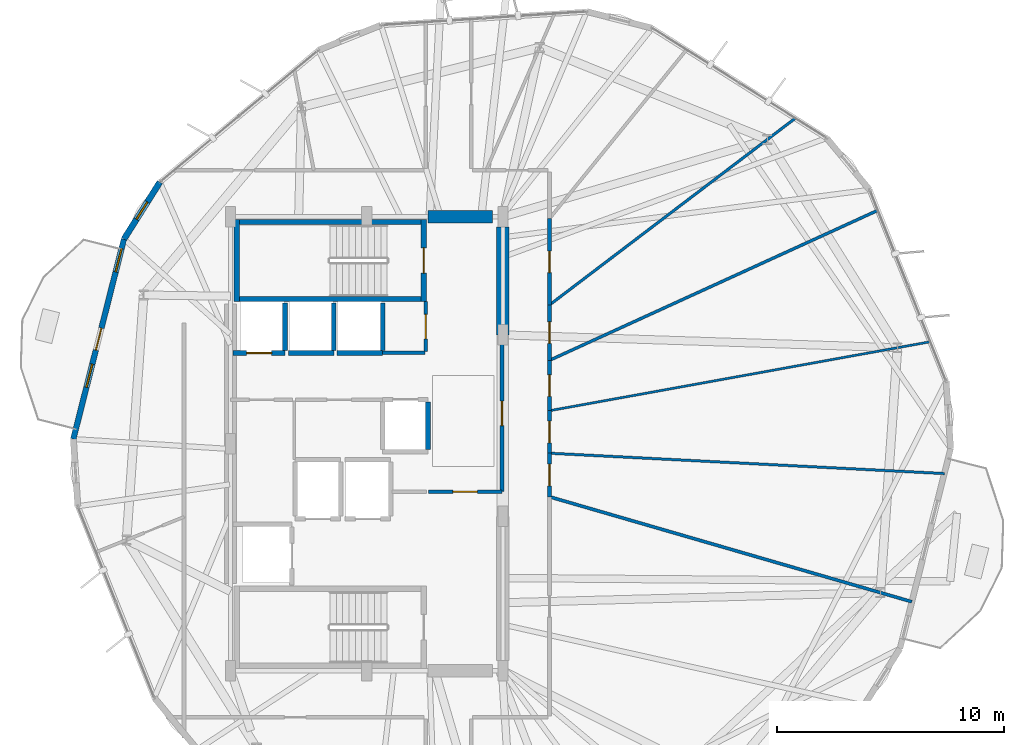
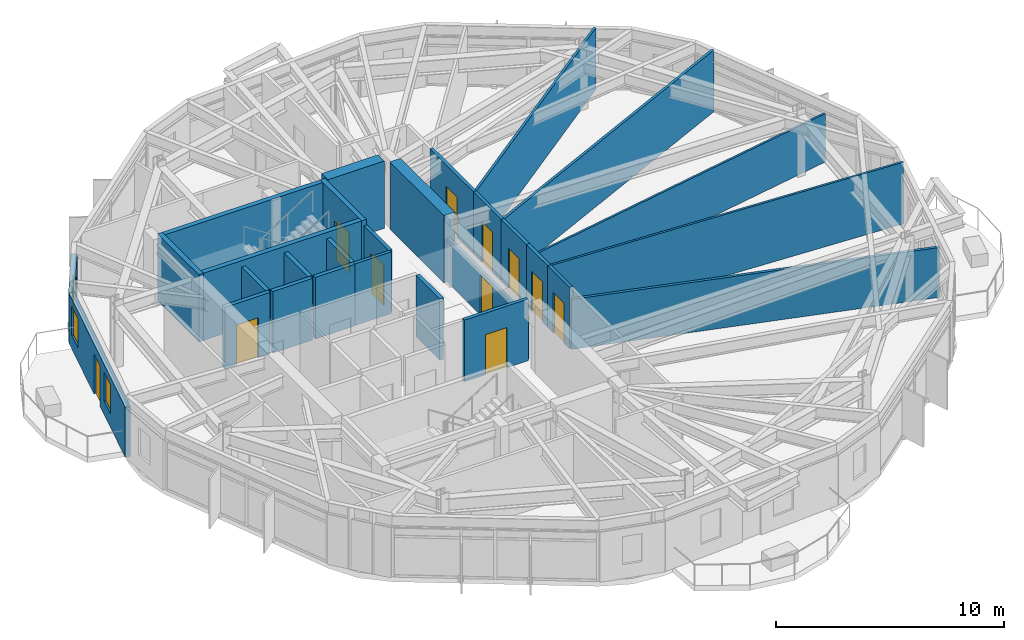
# One storey, part 20 of 24: 29 walls, 11 doors, 3 windows, 14 openings.
"""IFC4 building model written with IfcOpenShell, lengths in metres."""

from ifc_helpers import new_model, si_unit, direction, frame, frame_2d, origin, place, context, subcontext, project, spatial, rectangle, extrude, material, layer, layer_set, type_object, element, fill, save


model = new_model("IFC4")

# Units and contexts
model_context = context("Model", 3, precision=1e-05, world=origin(), true_north=direction((0.0, 1.0)))
body_context = subcontext(model_context, "Body", "Model", "MODEL_VIEW")
ifc_project = project(units=[si_unit("LENGTHUNIT", "METRE"), si_unit("AREAUNIT", "SQUARE_METRE"), si_unit("VOLUMEUNIT", "CUBIC_METRE"), si_unit("PLANEANGLEUNIT", "RADIAN"), si_unit("MASSUNIT", "GRAM", prefix="KILO")], contexts=[model_context])

# Site, building, storey
site_placement = place(None, origin())
site = spatial("IfcSite", under=ifc_project, at=site_placement, CompositionType="ELEMENT")
building_placement = place(site_placement, origin())
building = spatial("IfcBuilding", under=site, at=building_placement, Name="Soratama Intermodal Tower", CompositionType="ELEMENT")
storey_placement = place(building_placement, frame((0.0, 0.0, 178.60009765625)))
storey = spatial("IfcBuildingStorey", under=building, at=storey_placement, Name="L44", CompositionType="ELEMENT", Elevation=178.60009765625)

# Wall, openings, door, windows
ifc_material_1 = material(Name="Concrete f'c 42 MPa", Category="concrete")
ifc_layer_1 = layer(ifc_material_1, 0.25)
ifc_layer_set_1 = layer_set([ifc_layer_1], Name="Concrete f'c 42 MPa")
wall_type_1 = type_object("IfcWallType", Name="EW-BAL-250", PredefinedType="SOLIDWALL", material=ifc_layer_set_1)
wall_1_placement = place(storey_placement, frame((27.908203125, 34.018310546875, 0.0), z_axis=(0.0, 0.0, 1.0), x_axis=(-0.245644624453, -0.969359952999, 0.0)))
wall_1 = element("IfcWall", 1, at=wall_1_placement, inside=storey, type_object=wall_type_1, Name="L44 Terrace Wall F04", PredefinedType="SOLIDWALL", context=body_context, shape_type="SweptSolid", body=[
    extrude(rectangle(XDim=9.0869140625, YDim=0.25, at=frame_2d((4.54345703125, 0.0))), origin(), (0.0, 0.0, 1.0), 2.678955078125),
])
opening_1_placement = place(wall_1_placement, frame((4.04345703125, 0.0, 0.0)))
opening_1 = element("IfcOpeningElement", 2, at=opening_1_placement, cuts=wall_1, Name="Opening ED-2", PredefinedType="OPENING", context=body_context, shape_type="SweptSolid", body=[
    extrude(rectangle(XDim=1.0, YDim=2.14990234375, at=frame_2d((0.5, 1.074951171875))), frame((0.0, 0.135009765625, 0.0), z_axis=(0.0, -1.0, 0.0), x_axis=(1.0, 0.0, 0.0)), (0.0, 0.0, 1.0), 0.27001953125),
])
opening_2_placement = place(wall_1_placement, frame((0.43994140625, 0.0, 0.719970703125)))
opening_2 = element("IfcOpeningElement", 3, at=opening_2_placement, cuts=wall_1, Name="Opening WN-5", PredefinedType="OPENING", context=body_context, shape_type="SweptSolid", body=[
    extrude(rectangle(XDim=1.050048828125, YDim=1.550048828125, at=frame_2d((0.52490234375, 0.77490234375))), frame((0.0, 0.135009765625, 0.0), z_axis=(0.0, -1.0, 0.0), x_axis=(1.0, 0.0, 0.0)), (0.0, 0.0, 1.0), 0.27001953125),
])
opening_3_placement = place(wall_1_placement, frame((5.68359375, 0.0, 0.719970703125)))
opening_3 = element("IfcOpeningElement", 4, at=opening_3_placement, cuts=wall_1, Name="Opening WN-5", PredefinedType="OPENING", context=body_context, shape_type="SweptSolid", body=[
    extrude(rectangle(XDim=1.050048828125, YDim=1.550048828125, at=frame_2d((0.52490234375, 0.77490234375))), frame((0.0, 0.135009765625, 0.0), z_axis=(0.0, -1.0, 0.0), x_axis=(1.0, 0.0, 0.0)), (0.0, 0.0, 1.0), 0.27001953125),
])
ifc_material_2 = material(Name="Double-glazed aluminium door", Category="aluminium")
door_type_1 = type_object("IfcDoorType", Name="DR-BAL-1000", OperationType="NOTDEFINED", PredefinedType="DOOR", material=ifc_material_2)
door_1_placement = place(opening_1_placement, origin())
door_1 = element("IfcDoor", 5, at=door_1_placement, inside=storey, type_object=door_type_1, Name="L44 Balcony Door F04", OperationType="SINGLE_SWING_RIGHT", OverallHeight=2.14990234375, OverallWidth=1.0, PredefinedType="DOOR", context=body_context, shape_type="SweptSolid", body=[
    extrude(rectangle(XDim=1.0, YDim=2.14990234375, at=frame_2d((0.5, 1.074951171875))), frame((0.0, 0.02490234375, 0.0), z_axis=(0.0, -1.0, 0.0), x_axis=(1.0, 0.0, 0.0)), (0.0, 0.0, 1.0), 0.050048828125),
])
fill(opening_1, door_1)
ifc_material_3 = material(Name="Double-glazed aluminium window", Category="aluminium")
window_type_1 = type_object("IfcWindowType", Name="WN-FAC-1050", PartitioningType="SINGLE_PANEL", PredefinedType="WINDOW", material=ifc_material_3)
window_1_placement = place(opening_2_placement, origin())
window_1 = element("IfcWindow", 6, at=window_1_placement, inside=storey, type_object=window_type_1, Name="L44 Window A F04", OverallHeight=1.550048828125, OverallWidth=1.050048828125, PartitioningType="SINGLE_PANEL", PredefinedType="WINDOW", context=body_context, shape_type="SweptSolid", body=[
    extrude(rectangle(XDim=1.050048828125, YDim=1.550048828125, at=frame_2d((0.52490234375, 0.77490234375))), frame((0.0, 0.030029296875, 0.0), z_axis=(0.0, -1.0, 0.0), x_axis=(1.0, 0.0, 0.0)), (0.0, 0.0, 1.0), 0.06005859375),
])
fill(opening_2, window_1)
window_2_placement = place(opening_3_placement, origin())
window_2 = element("IfcWindow", 7, at=window_2_placement, inside=storey, type_object=window_type_1, Name="L44 Window B F04", OverallHeight=1.550048828125, OverallWidth=1.050048828125, PartitioningType="SINGLE_PANEL", PredefinedType="WINDOW", context=body_context, shape_type="SweptSolid", body=[
    extrude(rectangle(XDim=1.050048828125, YDim=1.550048828125, at=frame_2d((0.52490234375, 0.77490234375))), frame((0.0, 0.030029296875, 0.0), z_axis=(0.0, -1.0, 0.0), x_axis=(1.0, 0.0, 0.0)), (0.0, 0.0, 1.0), 0.06005859375),
])
fill(opening_3, window_2)

# Wall, opening, window
ifc_material_4 = material(Name="Concrete f'c 42 MPa", Category="concrete")
ifc_layer_2 = layer(ifc_material_4, 0.27001953125)
ifc_layer_set_2 = layer_set([ifc_layer_2], Name="Concrete f'c 42 MPa")
wall_type_2 = type_object("IfcWallType", Name="EW-CRN-270", PredefinedType="SOLIDWALL", material=ifc_layer_set_2)
wall_2_placement = place(storey_placement, frame((29.489990234375, 36.528076171875, 0.0), z_axis=(0.0, 0.0, 1.0), x_axis=(-0.533190820805, -0.845995005074, 0.0)))
wall_2 = element("IfcWall", 8, at=wall_2_placement, inside=storey, type_object=wall_type_2, Name="L44 Corner Closure Wall 03", PredefinedType="SOLIDWALL", context=body_context, shape_type="SweptSolid", body=[
    extrude(rectangle(XDim=2.966552734375, YDim=0.27001953125, at=frame_2d((1.4833984375, 0.0))), origin(), (0.0, 0.0, 1.0), 2.678955078125),
])
opening_4_placement = place(wall_2_placement, frame((1.033203125, 0.0, 0.75)))
opening_4 = element("IfcOpeningElement", 9, at=opening_4_placement, cuts=wall_2, Name="Opening WN-6", PredefinedType="OPENING", context=body_context, shape_type="SweptSolid", body=[
    extrude(rectangle(XDim=0.89990234375, YDim=1.5, at=frame_2d((0.449951171875, 0.75))), frame((0.0, 0.14501953125, 0.0), z_axis=(0.0, -1.0, 0.0), x_axis=(1.0, 0.0, 0.0)), (0.0, 0.0, 1.0), 0.2900390625),
])
ifc_material_5 = material(Name="Double-glazed aluminium window", Category="aluminium")
window_type_2 = type_object("IfcWindowType", Name="WN-FAC-900", PartitioningType="SINGLE_PANEL", PredefinedType="WINDOW", material=ifc_material_5)
window_3_placement = place(opening_4_placement, origin())
window_3 = element("IfcWindow", 10, at=window_3_placement, inside=storey, type_object=window_type_2, Name="L44 Corner Window 03", OverallHeight=1.5, OverallWidth=0.89990234375, PartitioningType="SINGLE_PANEL", PredefinedType="WINDOW", context=body_context, shape_type="SweptSolid", body=[
    extrude(rectangle(XDim=0.89990234375, YDim=1.5, at=frame_2d((0.449951171875, 0.75))), frame((0.0, 0.030029296875, 0.0), z_axis=(0.0, -1.0, 0.0), x_axis=(1.0, 0.0, 0.0)), (0.0, 0.0, 1.0), 0.06005859375),
])
fill(opening_4, window_3)

# Wall, opening, door
ifc_material_6 = material(Name="Fire-rated gypsum stud partition", Category="concrete")
ifc_layer_3 = layer(ifc_material_6, 0.159912109375)
ifc_layer_set_3 = layer_set([ifc_layer_3], Name="Fire-rated gypsum stud partition")
wall_type_3 = type_object("IfcWallType", Name="IW-PART-R160", PredefinedType="PARTITIONING", material=ifc_layer_set_3)
wall_3_placement = place(storey_placement, frame((44.56005859375, 29.800048828125, 0.0), z_axis=(0.0, 0.0, 1.0), x_axis=(0.0, -1.0, 0.0)))
wall_3 = element("IfcWall", 11, at=wall_3_placement, inside=storey, type_object=wall_type_3, Name="L44 Partition W-L44-TP011", PredefinedType="PARTITIONING", context=body_context, shape_type="SweptSolid", body=[
    extrude(rectangle(XDim=6.91015625, YDim=0.159912109375, at=frame_2d((3.455078125, 0.0))), origin(), (0.0, 0.0, 1.0), 2.33984375),
])
opening_5_placement = place(wall_3_placement, frame((2.9150390625, 0.0, 0.0)))
opening_5 = element("IfcOpeningElement", 12, at=opening_5_placement, cuts=wall_3, Name="Opening ID-1", PredefinedType="OPENING", context=body_context, shape_type="SweptSolid", body=[
    extrude(rectangle(XDim=1.080078125, YDim=2.14990234375, at=frame_2d((0.5400390625, 1.074951171875))), frame((0.0, 0.08984375, 0.0), z_axis=(0.0, -1.0, 0.0), x_axis=(1.0, 0.0, 0.0)), (0.0, 0.0, 1.0), 0.179931640625),
])
ifc_material_7 = material(Name="Solid hardwood acoustic door", Category="wood")
door_type_2 = type_object("IfcDoorType", Name="DR-LOB-FD60", OperationType="NOTDEFINED", PredefinedType="DOOR", material=ifc_material_7)
door_2_placement = place(opening_5_placement, origin())
door_2 = element("IfcDoor", 13, at=door_2_placement, inside=storey, type_object=door_type_2, Name="L44 Door D-L44-TP003", OperationType="SINGLE_SWING_RIGHT", OverallHeight=2.14990234375, OverallWidth=1.080078125, PredefinedType="DOOR", context=body_context, shape_type="SweptSolid", body=[
    extrude(rectangle(XDim=1.080078125, YDim=2.14990234375, at=frame_2d((0.5400390625, 1.074951171875))), frame((0.0, 0.02490234375, 0.0), z_axis=(0.0, -1.0, 0.0), x_axis=(1.0, 0.0, 0.0)), (0.0, 0.0, 1.0), 0.050048828125),
])
fill(opening_5, door_2)

wall_4_placement = place(storey_placement, frame((46.64990234375, 34.9208984375, 0.0), z_axis=(0.0, 0.0, 1.0), x_axis=(0.0, -1.0, 0.0)))
wall_4 = element("IfcWall", 14, at=wall_4_placement, inside=storey, type_object=wall_type_3, Name="L44 Partition W-L44-TP021", PredefinedType="PARTITIONING", context=body_context, shape_type="SweptSolid", body=[
    extrude(rectangle(XDim=3.805908203125, YDim=0.159912109375, at=frame_2d((1.90283203125, 0.0))), origin(), (0.0, 0.0, 1.0), 3.2998046875),
])
opening_6_placement = place(wall_4_placement, frame((1.427978515625, 0.0, 0.0)))
opening_6 = element("IfcOpeningElement", 15, at=opening_6_placement, cuts=wall_4, Name="Opening ID-3", PredefinedType="OPENING", context=body_context, shape_type="SweptSolid", body=[
    extrude(rectangle(XDim=0.949951171875, YDim=2.14990234375, at=frame_2d((0.47509765625, 1.074951171875))), frame((0.0, 0.08984375, 0.0), z_axis=(0.0, -1.0, 0.0), x_axis=(1.0, 0.0, 0.0)), (0.0, 0.0, 1.0), 0.179931640625),
])
ifc_material_8 = material(Name="Solid hardwood acoustic door", Category="wood")
door_type_3 = type_object("IfcDoorType", Name="DR-ROOM-950", OperationType="NOTDEFINED", PredefinedType="DOOR", material=ifc_material_8)
door_3_placement = place(opening_6_placement, origin())
door_3 = element("IfcDoor", 16, at=door_3_placement, inside=storey, type_object=door_type_3, Name="L44 Door D-L44-TP008", OperationType="SINGLE_SWING_LEFT", OverallHeight=2.14990234375, OverallWidth=0.949951171875, PredefinedType="DOOR", context=body_context, shape_type="SweptSolid", body=[
    extrude(rectangle(XDim=0.949951171875, YDim=2.14990234375, at=frame_2d((0.47509765625, 1.074951171875))), frame((0.0, 0.02490234375, 0.0), z_axis=(0.0, -1.0, 0.0), x_axis=(1.0, 0.0, 0.0)), (0.0, 0.0, 1.0), 0.050048828125),
])
fill(opening_6, door_3)

wall_5_placement = place(storey_placement, frame((46.64990234375, 31.114990234375, 0.0), z_axis=(0.0, 0.0, 1.0), x_axis=(0.0, -1.0, 0.0)))
wall_5 = element("IfcWall", 17, at=wall_5_placement, inside=storey, type_object=wall_type_3, Name="L44 Partition W-L44-TP027", PredefinedType="PARTITIONING", context=body_context, shape_type="SweptSolid", body=[
    extrude(rectangle(XDim=2.43798828125, YDim=0.159912109375, at=frame_2d((1.218994140625, 0.0))), origin(), (0.0, 0.0, 1.0), 3.2998046875),
])
opening_7_placement = place(wall_5_placement, frame((0.743896484375, 0.0, 0.0)))
opening_7 = element("IfcOpeningElement", 18, at=opening_7_placement, cuts=wall_5, Name="Opening ID-3", PredefinedType="OPENING", context=body_context, shape_type="SweptSolid", body=[
    extrude(rectangle(XDim=0.949951171875, YDim=2.14990234375, at=frame_2d((0.47509765625, 1.074951171875))), frame((0.0, 0.08984375, 0.0), z_axis=(0.0, -1.0, 0.0), x_axis=(1.0, 0.0, 0.0)), (0.0, 0.0, 1.0), 0.179931640625),
])
door_4_placement = place(opening_7_placement, origin())
door_4 = element("IfcDoor", 19, at=door_4_placement, inside=storey, type_object=door_type_3, Name="L44 Door D-L44-TP012", OperationType="SINGLE_SWING_LEFT", OverallHeight=2.14990234375, OverallWidth=0.949951171875, PredefinedType="DOOR", context=body_context, shape_type="SweptSolid", body=[
    extrude(rectangle(XDim=0.949951171875, YDim=2.14990234375, at=frame_2d((0.47509765625, 1.074951171875))), frame((0.0, 0.02490234375, 0.0), z_axis=(0.0, -1.0, 0.0), x_axis=(1.0, 0.0, 0.0)), (0.0, 0.0, 1.0), 0.050048828125),
])
fill(opening_7, door_4)

wall_6_placement = place(storey_placement, frame((46.64990234375, 28.677001953125, 0.0), z_axis=(0.0, 0.0, 1.0), x_axis=(0.0, -1.0, 0.0)))
wall_6 = element("IfcWall", 20, at=wall_6_placement, inside=storey, type_object=wall_type_3, Name="L44 Partition W-L44-TP028", PredefinedType="PARTITIONING", context=body_context, shape_type="SweptSolid", body=[
    extrude(rectangle(XDim=2.218994140625, YDim=0.159912109375, at=frame_2d((1.109375, 0.0))), origin(), (0.0, 0.0, 1.0), 3.2998046875),
])
opening_8_placement = place(wall_6_placement, frame((0.635009765625, 0.0, 0.0)))
opening_8 = element("IfcOpeningElement", 21, at=opening_8_placement, cuts=wall_6, Name="Opening ID-3", PredefinedType="OPENING", context=body_context, shape_type="SweptSolid", body=[
    extrude(rectangle(XDim=0.949951171875, YDim=2.14990234375, at=frame_2d((0.47509765625, 1.074951171875))), frame((0.0, 0.08984375, 0.0), z_axis=(0.0, -1.0, 0.0), x_axis=(1.0, 0.0, 0.0)), (0.0, 0.0, 1.0), 0.179931640625),
])
door_5_placement = place(opening_8_placement, origin())
door_5 = element("IfcDoor", 22, at=door_5_placement, inside=storey, type_object=door_type_3, Name="L44 Door D-L44-TP013", OperationType="SINGLE_SWING_RIGHT", OverallHeight=2.14990234375, OverallWidth=0.949951171875, PredefinedType="DOOR", context=body_context, shape_type="SweptSolid", body=[
    extrude(rectangle(XDim=0.949951171875, YDim=2.14990234375, at=frame_2d((0.47509765625, 1.074951171875))), frame((0.0, 0.02490234375, 0.0), z_axis=(0.0, -1.0, 0.0), x_axis=(1.0, 0.0, 0.0)), (0.0, 0.0, 1.0), 0.050048828125),
])
fill(opening_8, door_5)

wall_7_placement = place(storey_placement, frame((41.199951171875, 29.070068359375, 0.0), z_axis=(0.0, 0.0, 1.0), x_axis=(0.0, 1.0, 0.0)))
wall_7 = element("IfcWall", 23, at=wall_7_placement, inside=storey, type_object=wall_type_3, Name="L44 Partition W-L44-TP029", PredefinedType="PARTITIONING", context=body_context, shape_type="SweptSolid", body=[
    extrude(rectangle(XDim=2.18994140625, YDim=0.159912109375, at=frame_2d((1.094970703125, 0.0))), origin(), (0.0, 0.0, 1.0), 3.2998046875),
])
opening_9_placement = place(wall_7_placement, frame((0.554931640625, 0.0, 0.0)))
opening_9 = element("IfcOpeningElement", 24, at=opening_9_placement, cuts=wall_7, Name="Opening ID-1", PredefinedType="OPENING", context=body_context, shape_type="SweptSolid", body=[
    extrude(rectangle(XDim=1.080078125, YDim=2.14990234375, at=frame_2d((0.5400390625, 1.074951171875))), frame((0.0, 0.08984375, 0.0), z_axis=(0.0, -1.0, 0.0), x_axis=(1.0, 0.0, 0.0)), (0.0, 0.0, 1.0), 0.179931640625),
])
door_6_placement = place(opening_9_placement, origin())
door_6 = element("IfcDoor", 25, at=door_6_placement, inside=storey, type_object=door_type_2, Name="L44 Door D-L44-TP014", OperationType="SINGLE_SWING_LEFT", OverallHeight=2.14990234375, OverallWidth=1.080078125, PredefinedType="DOOR", context=body_context, shape_type="SweptSolid", body=[
    extrude(rectangle(XDim=1.080078125, YDim=2.14990234375, at=frame_2d((0.5400390625, 1.074951171875))), frame((0.0, 0.02490234375, 0.0), z_axis=(0.0, -1.0, 0.0), x_axis=(1.0, 0.0, 0.0)), (0.0, 0.0, 1.0), 0.050048828125),
])
fill(opening_9, door_6)

wall_8_placement = place(storey_placement, frame((46.64990234375, 24.5859375, 0.0), z_axis=(0.0, 0.0, 1.0), x_axis=(0.0, -1.0, 0.0)))
wall_8 = element("IfcWall", 26, at=wall_8_placement, inside=storey, type_object=wall_type_3, Name="L44 Partition W-L44-TP031", PredefinedType="PARTITIONING", context=body_context, shape_type="SweptSolid", body=[
    extrude(rectangle(XDim=1.9189453125, YDim=0.159912109375, at=frame_2d((0.95947265625, 0.0))), origin(), (0.0, 0.0, 1.0), 3.2998046875),
])
opening_10_placement = place(wall_8_placement, frame((0.48388671875, 0.0, 0.0)))
opening_10 = element("IfcOpeningElement", 27, at=opening_10_placement, cuts=wall_8, Name="Opening ID-3", PredefinedType="OPENING", context=body_context, shape_type="SweptSolid", body=[
    extrude(rectangle(XDim=0.949951171875, YDim=2.14990234375, at=frame_2d((0.47509765625, 1.074951171875))), frame((0.0, 0.08984375, 0.0), z_axis=(0.0, -1.0, 0.0), x_axis=(1.0, 0.0, 0.0)), (0.0, 0.0, 1.0), 0.179931640625),
])
door_7_placement = place(opening_10_placement, origin())
door_7 = element("IfcDoor", 28, at=door_7_placement, inside=storey, type_object=door_type_3, Name="L44 Door D-L44-TP015", OperationType="SINGLE_SWING_RIGHT", OverallHeight=2.14990234375, OverallWidth=0.949951171875, PredefinedType="DOOR", context=body_context, shape_type="SweptSolid", body=[
    extrude(rectangle(XDim=0.949951171875, YDim=2.14990234375, at=frame_2d((0.47509765625, 1.074951171875))), frame((0.0, 0.02490234375, 0.0), z_axis=(0.0, -1.0, 0.0), x_axis=(1.0, 0.0, 0.0)), (0.0, 0.0, 1.0), 0.050048828125),
])
fill(opening_10, door_7)

wall_9_placement = place(storey_placement, frame((46.64990234375, 26.4580078125, 0.0), z_axis=(0.0, 0.0, 1.0), x_axis=(0.0, -1.0, 0.0)))
wall_9 = element("IfcWall", 29, at=wall_9_placement, inside=storey, type_object=wall_type_3, Name="L44 Partition W-L44-TP032", PredefinedType="PARTITIONING", context=body_context, shape_type="SweptSolid", body=[
    extrude(rectangle(XDim=1.8720703125, YDim=0.159912109375, at=frame_2d((0.93603515625, 0.0))), origin(), (0.0, 0.0, 1.0), 3.2998046875),
])
opening_11_placement = place(wall_9_placement, frame((0.4609375, 0.0, 0.0)))
opening_11 = element("IfcOpeningElement", 30, at=opening_11_placement, cuts=wall_9, Name="Opening ID-3", PredefinedType="OPENING", context=body_context, shape_type="SweptSolid", body=[
    extrude(rectangle(XDim=0.949951171875, YDim=2.14990234375, at=frame_2d((0.47509765625, 1.074951171875))), frame((0.0, 0.08984375, 0.0), z_axis=(0.0, -1.0, 0.0), x_axis=(1.0, 0.0, 0.0)), (0.0, 0.0, 1.0), 0.179931640625),
])
door_8_placement = place(opening_11_placement, origin())
door_8 = element("IfcDoor", 31, at=door_8_placement, inside=storey, type_object=door_type_3, Name="L44 Door D-L44-TP016", OperationType="SINGLE_SWING_LEFT", OverallHeight=2.14990234375, OverallWidth=0.949951171875, PredefinedType="DOOR", context=body_context, shape_type="SweptSolid", body=[
    extrude(rectangle(XDim=0.949951171875, YDim=2.14990234375, at=frame_2d((0.47509765625, 1.074951171875))), frame((0.0, 0.02490234375, 0.0), z_axis=(0.0, -1.0, 0.0), x_axis=(1.0, 0.0, 0.0)), (0.0, 0.0, 1.0), 0.050048828125),
])
fill(opening_11, door_8)

# Wall
wall_10_placement = place(storey_placement, frame((39.300048828125, 29.010009765625, 0.0), z_axis=(0.0, 0.0, 1.0), x_axis=(1.0, 0.0, 0.0)))
element("IfcWall", 32, at=wall_10_placement, inside=storey, type_object=wall_type_3, Name="L44 Partition W-L44-TP033", PredefinedType="PARTITIONING", context=body_context, shape_type="SweptSolid", body=[
    extrude(rectangle(XDim=1.85986328125, YDim=0.159912109375, at=frame_2d((0.929931640625, 0.0))), origin(), (0.0, 0.0, 1.0), 3.2998046875),
])

# Wall, opening, door
ifc_material_9 = material(Name="Fire-rated gypsum stud partition", Category="concrete")
ifc_layer_4 = layer(ifc_material_9, 0.169921875)
ifc_layer_set_4 = layer_set([ifc_layer_4], Name="Fire-rated gypsum stud partition")
wall_type_4 = type_object("IfcWallType", Name="IW-PART-R170", PredefinedType="PARTITIONING", material=ifc_layer_set_4)
wall_11_placement = place(storey_placement, frame((41.320068359375, 22.889892578125, 0.0), z_axis=(0.0, 0.0, 1.0), x_axis=(1.0, 0.0, 0.0)))
wall_11 = element("IfcWall", 33, at=wall_11_placement, inside=storey, type_object=wall_type_4, Name="L44 Partition W-L44-TP023", PredefinedType="PARTITIONING", context=body_context, shape_type="SweptSolid", body=[
    extrude(rectangle(XDim=3.239990234375, YDim=0.169921875, at=frame_2d((1.6201171875, 0.0))), origin(), (0.0, 0.0, 1.0), 3.2998046875),
])
opening_12_placement = place(wall_11_placement, frame((1.080078125, 0.0, 0.0)))
opening_12 = element("IfcOpeningElement", 34, at=opening_12_placement, cuts=wall_11, Name="Opening ID-0", PredefinedType="OPENING", context=body_context, shape_type="SweptSolid", body=[
    extrude(rectangle(XDim=1.080078125, YDim=2.14990234375, at=frame_2d((0.5400390625, 1.074951171875))), frame((0.0, 0.094970703125, 0.0), z_axis=(0.0, -1.0, 0.0), x_axis=(1.0, 0.0, 0.0)), (0.0, 0.0, 1.0), 0.18994140625),
])
ifc_material_10 = material(Name="Solid hardwood acoustic door", Category="wood")
door_type_4 = type_object("IfcDoorType", Name="DR-LOB-FD90", OperationType="NOTDEFINED", PredefinedType="DOOR", material=ifc_material_10)
door_9_placement = place(opening_12_placement, origin())
door_9 = element("IfcDoor", 35, at=door_9_placement, inside=storey, type_object=door_type_4, Name="L44 Door D-L44-TP009", OperationType="SINGLE_SWING_RIGHT", OverallHeight=2.14990234375, OverallWidth=1.080078125, PredefinedType="DOOR", context=body_context, shape_type="SweptSolid", body=[
    extrude(rectangle(XDim=1.080078125, YDim=2.14990234375, at=frame_2d((0.5400390625, 1.074951171875))), frame((0.0, 0.02490234375, 0.0), z_axis=(0.0, -1.0, 0.0), x_axis=(1.0, 0.0, 0.0)), (0.0, 0.0, 1.0), 0.050048828125),
])
fill(opening_12, door_9)

# Walls
ifc_material_11 = material(Name="Fire-rated gypsum stud partition", Category="concrete")
ifc_layer_5 = layer(ifc_material_11, 0.10009765625)
ifc_layer_set_5 = layer_set([ifc_layer_5], Name="Fire-rated gypsum stud partition")
wall_type_5 = type_object("IfcWallType", Name="IW-PART-S100", PredefinedType="PARTITIONING", material=ifc_layer_set_5)
wall_12_placement = place(storey_placement, frame((46.64990234375, 26.4580078125, 0.0), z_axis=(0.0, 0.0, 1.0), x_axis=(0.984003859074, 0.178147145156, 0.0)))
element("IfcWall", 36, at=wall_12_placement, inside=storey, type_object=wall_type_5, Name="L44 Partition W-L44-TP002", PredefinedType="PARTITIONING", context=body_context, shape_type="SweptSolid", body=[
    extrude(rectangle(XDim=17.0537109375, YDim=0.10009765625, at=frame_2d((8.52685546875, 0.0))), origin(), (0.0, 0.0, 1.0), 2.594970703125),
])
ifc_material_12 = material(Name="Fire-rated gypsum stud partition", Category="concrete")
ifc_layer_6 = layer(ifc_material_12, 0.110107421875)
ifc_layer_set_6 = layer_set([ifc_layer_6], Name="Fire-rated gypsum stud partition")
wall_type_6 = type_object("IfcWallType", Name="IW-PART-S110", PredefinedType="PARTITIONING", material=ifc_layer_set_6)
wall_13_placement = place(storey_placement, frame((64.044921875, 23.68994140625, 0.0), z_axis=(0.0, 0.0, 1.0), x_axis=(-0.998676057093, 0.051440577257, 0.0)))
element("IfcWall", 37, at=wall_13_placement, inside=storey, type_object=wall_type_6, Name="L44 Partition W-L44-TP001", PredefinedType="PARTITIONING", context=body_context, shape_type="SweptSolid", body=[
    extrude(rectangle(XDim=17.41796875, YDim=0.110107421875, at=frame_2d((8.708984375, 0.0))), origin(), (0.0, 0.0, 1.0), 3.2998046875),
])
ifc_material_13 = material(Name="Fire-rated gypsum stud partition", Category="concrete")
ifc_layer_7 = layer(ifc_material_13, 0.1201171875)
ifc_layer_set_7 = layer_set([ifc_layer_7], Name="Fire-rated gypsum stud partition")
wall_type_7 = type_object("IfcWallType", Name="IW-PART-S120", PredefinedType="PARTITIONING", material=ifc_layer_set_7)
wall_14_placement = place(storey_placement, frame((46.64990234375, 31.114990234375, 0.0), z_axis=(0.0, 0.0, 1.0), x_axis=(0.796322023961, 0.60487290744, 0.0)))
element("IfcWall", 38, at=wall_14_placement, inside=storey, type_object=wall_type_7, Name="L44 Partition W-L44-TP005", PredefinedType="PARTITIONING", context=body_context, shape_type="SweptSolid", body=[
    extrude(rectangle(XDim=13.596435546875, YDim=0.1201171875, at=frame_2d((6.79833984375, 0.0))), origin(), (0.0, 0.0, 1.0), 3.2998046875),
])
ifc_material_14 = material(Name="Fire-rated gypsum stud partition", Category="concrete")
ifc_layer_8 = layer(ifc_material_14, 0.1298828125)
ifc_layer_set_8 = layer_set([ifc_layer_8], Name="Fire-rated gypsum stud partition")
wall_type_8 = type_object("IfcWallType", Name="IW-PART-S130", PredefinedType="PARTITIONING", material=ifc_layer_set_8)
wall_15_placement = place(storey_placement, frame((46.64990234375, 28.677001953125, 0.0), z_axis=(0.0, 0.0, 1.0), x_axis=(0.909584224625, 0.415519600395, 0.0)))
element("IfcWall", 39, at=wall_15_placement, inside=storey, type_object=wall_type_8, Name="L44 Partition W-L44-TP004", PredefinedType="PARTITIONING", context=body_context, shape_type="SweptSolid", body=[
    extrude(rectangle(XDim=15.905029296875, YDim=0.1298828125, at=frame_2d((7.95263671875, 0.0))), origin(), (0.0, 0.0, 1.0), 3.2998046875),
])
ifc_material_15 = material(Name="Fire-rated gypsum stud partition", Category="concrete")
ifc_layer_9 = layer(ifc_material_15, 0.139892578125)
ifc_layer_set_9 = layer_set([ifc_layer_9], Name="Fire-rated gypsum stud partition")
wall_type_9 = type_object("IfcWallType", Name="IW-PART-S140", PredefinedType="PARTITIONING", material=ifc_layer_set_9)
wall_16_placement = place(storey_placement, frame((46.64990234375, 22.6669921875, 0.0), z_axis=(0.0, 0.0, 1.0), x_axis=(0.960518719395, -0.278215365663, 0.0)))
element("IfcWall", 40, at=wall_16_placement, inside=storey, type_object=wall_type_9, Name="L44 Partition W-L44-TP003", PredefinedType="PARTITIONING", context=body_context, shape_type="SweptSolid", body=[
    extrude(rectangle(XDim=16.620361328125, YDim=0.139892578125, at=frame_2d((8.31005859375, 0.0))), origin(), (0.0, 0.0, 1.0), 2.673828125),
])
ifc_material_16 = material(Name="Concrete f'c 42 MPa", Category="concrete")
ifc_layer_10 = layer(ifc_material_16, 0.199951171875)
ifc_layer_set_10 = layer_set([ifc_layer_10], Name="Concrete f'c 42 MPa")
wall_type_10 = type_object("IfcWallType", Name="IW-SHAFT-200", PredefinedType="SOLIDWALL", material=ifc_layer_set_10)
wall_17_placement = place(storey_placement, frame((41.300048828125, 24.760009765625, 0.0), z_axis=(0.0, 0.0, 1.0), x_axis=(0.0, 1.0, 0.0)))
element("IfcWall", 41, at=wall_17_placement, inside=storey, type_object=wall_type_10, Name="L44 PL-M1 Hoistway Wall E", PredefinedType="SOLIDWALL", context=body_context, shape_type="SweptSolid", body=[
    extrude(rectangle(XDim=2.080078125, YDim=0.199951171875, at=frame_2d((1.0400390625, 0.0))), origin(), (0.0, 0.0, 1.0), 3.2998046875),
])

# Wall, opening, door
wall_18_placement = place(storey_placement, frame((32.719970703125, 29.0, 0.0), z_axis=(0.0, 0.0, 1.0), x_axis=(1.0, 0.0, 0.0)))
wall_18 = element("IfcWall", 42, at=wall_18_placement, inside=storey, type_object=wall_type_10, Name="L44 PL-M2 Hoistway Wall S", PredefinedType="SOLIDWALL", context=body_context, shape_type="SweptSolid", body=[
    extrude(rectangle(XDim=2.280029296875, YDim=0.199951171875, at=frame_2d((1.14013671875, 0.0))), origin(), (0.0, 0.0, 1.0), 3.2998046875),
])
opening_13_placement = place(wall_18_placement, frame((0.590087890625, 0.0, 0.0)))
opening_13 = element("IfcOpeningElement", 43, at=opening_13_placement, cuts=wall_18, Name="Opening LD-1", PredefinedType="OPENING", context=body_context, shape_type="SweptSolid", body=[
    extrude(rectangle(XDim=1.10009765625, YDim=2.14990234375, at=frame_2d((0.550048828125, 1.074951171875))), frame((0.0, 0.10986328125, 0.0), z_axis=(0.0, -1.0, 0.0), x_axis=(1.0, 0.0, 0.0)), (0.0, 0.0, 1.0), 0.219970703125),
])
ifc_material_17 = material(Name="Steel fire door", Category="steel")
door_type_5 = type_object("IfcDoorType", Name="DR-LIFT-SLIDE", OperationType="NOTDEFINED", PredefinedType="DOOR", material=ifc_material_17)
door_10_placement = place(opening_13_placement, origin())
door_10 = element("IfcDoor", 44, at=door_10_placement, inside=storey, type_object=door_type_5, Name="L44 PL-M2 Sliding Landing Door", OperationType="SLIDING_TO_LEFT", OverallHeight=2.14990234375, OverallWidth=1.10009765625, PredefinedType="DOOR", context=body_context, shape_type="SweptSolid", body=[
    extrude(rectangle(XDim=1.10009765625, YDim=2.14990234375, at=frame_2d((0.550048828125, 1.074951171875))), frame((0.0, 0.02490234375, 0.0), z_axis=(0.0, -1.0, 0.0), x_axis=(1.0, 0.0, 0.0)), (0.0, 0.0, 1.0), 0.050048828125),
])
fill(opening_13, door_10)

# Walls
wall_19_placement = place(storey_placement, frame((35.0, 29.110107421875, 0.0), z_axis=(0.0, 0.0, 1.0), x_axis=(0.0, 1.0, 0.0)))
element("IfcWall", 45, at=wall_19_placement, inside=storey, type_object=wall_type_10, Name="L44 PL-M2 Hoistway Wall E", PredefinedType="SOLIDWALL", context=body_context, shape_type="SweptSolid", body=[
    extrude(rectangle(XDim=2.099853515625, YDim=0.199951171875, at=frame_2d((1.0498046875, 0.0))), origin(), (0.0, 0.0, 1.0), 3.2998046875),
])
wall_20_placement = place(storey_placement, frame((35.14990234375, 29.0, 0.0), z_axis=(0.0, 0.0, 1.0), x_axis=(1.0, 0.0, 0.0)))
element("IfcWall", 46, at=wall_20_placement, inside=storey, type_object=wall_type_10, Name="L44 PL-H1 Hoistway Wall S", PredefinedType="SOLIDWALL", context=body_context, shape_type="SweptSolid", body=[
    extrude(rectangle(XDim=2.0, YDim=0.199951171875, at=frame_2d((1.0, 0.0))), origin(), (0.0, 0.0, 1.0), 3.2998046875),
])
wall_21_placement = place(storey_placement, frame((37.14990234375, 29.110107421875, 0.0), z_axis=(0.0, 0.0, 1.0), x_axis=(0.0, 1.0, 0.0)))
element("IfcWall", 47, at=wall_21_placement, inside=storey, type_object=wall_type_10, Name="L44 PL-H1 Hoistway Wall E", PredefinedType="SOLIDWALL", context=body_context, shape_type="SweptSolid", body=[
    extrude(rectangle(XDim=2.099853515625, YDim=0.199951171875, at=frame_2d((1.0498046875, 0.0))), origin(), (0.0, 0.0, 1.0), 3.2998046875),
])
wall_22_placement = place(storey_placement, frame((37.300048828125, 29.0, 0.0), z_axis=(0.0, 0.0, 1.0), x_axis=(1.0, 0.0, 0.0)))
element("IfcWall", 48, at=wall_22_placement, inside=storey, type_object=wall_type_10, Name="L44 PL-H2 Hoistway Wall S", PredefinedType="SOLIDWALL", context=body_context, shape_type="SweptSolid", body=[
    extrude(rectangle(XDim=2.0, YDim=0.199951171875, at=frame_2d((1.0, 0.0))), origin(), (0.0, 0.0, 1.0), 3.2998046875),
])
wall_23_placement = place(storey_placement, frame((39.300048828125, 29.110107421875, 0.0), z_axis=(0.0, 0.0, 1.0), x_axis=(0.0, 1.0, 0.0)))
element("IfcWall", 49, at=wall_23_placement, inside=storey, type_object=wall_type_10, Name="L44 PL-H2 Hoistway Wall E", PredefinedType="SOLIDWALL", context=body_context, shape_type="SweptSolid", body=[
    extrude(rectangle(XDim=2.099853515625, YDim=0.199951171875, at=frame_2d((1.0498046875, 0.0))), origin(), (0.0, 0.0, 1.0), 3.2998046875),
])
ifc_material_18 = material(Name="Concrete f'c 56 MPa", Category="concrete")
ifc_layer_11 = layer(ifc_material_18, 0.550048828125)
ifc_layer_set_11 = layer_set([ifc_layer_11], Name="Concrete f'c 56 MPa")
wall_type_11 = type_object("IfcWallType", Name="SW-CORE-550", PredefinedType="SHEAR", material=ifc_layer_set_11)
wall_24_placement = place(storey_placement, frame((41.300048828125, 35.0, 0.0), z_axis=(0.0, 0.0, 1.0), x_axis=(1.0, 0.0, 0.0)))
element("IfcWall", 50, at=wall_24_placement, inside=storey, type_object=wall_type_11, Name="L44 Core Shear Wall CW-NE", PredefinedType="SHEAR", context=body_context, shape_type="SweptSolid", body=[
    extrude(rectangle(XDim=2.849853515625, YDim=0.550048828125, at=frame_2d((1.4248046875, 0.0))), origin(), (0.0, 0.0, 1.0), 3.599853515625),
])
wall_25_placement = place(storey_placement, frame((44.60009765625, 29.800048828125, 0.0), z_axis=(0.0, 0.0, 1.0), x_axis=(0.0, 1.0, 0.0)))
element("IfcWall", 51, at=wall_25_placement, inside=storey, type_object=wall_type_11, Name="L44 Core Shear Wall CW-EN", PredefinedType="SHEAR", context=body_context, shape_type="SweptSolid", body=[
    extrude(rectangle(XDim=4.75, YDim=0.550048828125, at=frame_2d((2.375, 0.0))), origin(), (0.0, 0.0, 1.0), 3.599853515625),
])
ifc_material_19 = material(Name="Concrete f'c 56 MPa", Category="concrete")
ifc_layer_12 = layer(ifc_material_19, 0.239990234375)
ifc_layer_set_12 = layer_set([ifc_layer_12], Name="Concrete f'c 56 MPa")
wall_type_12 = type_object("IfcWallType", Name="SW-STAIR-240", PredefinedType="SHEAR", material=ifc_layer_set_12)
wall_26_placement = place(storey_placement, frame((32.8798828125, 31.260009765625, 0.0), z_axis=(0.0, 0.0, 1.0), x_axis=(0.0, 1.0, 0.0)))
element("IfcWall", 52, at=wall_26_placement, inside=storey, type_object=wall_type_12, Name="L44 ST-2 Shaft Shear Wall W", PredefinedType="SHEAR", context=body_context, shape_type="SweptSolid", body=[
    extrude(rectangle(XDim=3.6298828125, YDim=0.239990234375, at=frame_2d((1.81494140625, 0.0))), origin(), (0.0, 0.0, 1.0), 3.599853515625),
])

# Wall, opening, door
wall_27_placement = place(storey_placement, frame((41.1201171875, 31.260009765625, 0.0), z_axis=(0.0, 0.0, 1.0), x_axis=(0.0, 1.0, 0.0)))
wall_27 = element("IfcWall", 53, at=wall_27_placement, inside=storey, type_object=wall_type_12, Name="L44 ST-2 Shaft Shear Wall E", PredefinedType="SHEAR", context=body_context, shape_type="SweptSolid", body=[
    extrude(rectangle(XDim=3.6298828125, YDim=0.239990234375, at=frame_2d((1.81494140625, 0.0))), origin(), (0.0, 0.0, 1.0), 3.599853515625),
])
opening_14_placement = place(wall_27_placement, frame((1.2548828125, 0.0, 0.0)))
opening_14 = element("IfcOpeningElement", 54, at=opening_14_placement, cuts=wall_27, Name="Opening SD-1", PredefinedType="OPENING", context=body_context, shape_type="SweptSolid", body=[
    extrude(rectangle(XDim=1.1201171875, YDim=2.14990234375, at=frame_2d((0.56005859375, 1.074951171875))), frame((0.0, 0.1298828125, 0.0), z_axis=(0.0, -1.0, 0.0), x_axis=(1.0, 0.0, 0.0)), (0.0, 0.0, 1.0), 0.260009765625),
])
ifc_material_20 = material(Name="Steel fire door", Category="steel")
door_type_6 = type_object("IfcDoorType", Name="DR-STAIR-FD90", OperationType="NOTDEFINED", PredefinedType="DOOR", material=ifc_material_20)
door_11_placement = place(opening_14_placement, origin())
door_11 = element("IfcDoor", 55, at=door_11_placement, inside=storey, type_object=door_type_6, Name="L44 ST-2 Exit Stair Door", OperationType="SINGLE_SWING_RIGHT", OverallHeight=2.14990234375, OverallWidth=1.1201171875, PredefinedType="DOOR", context=body_context, shape_type="SweptSolid", body=[
    extrude(rectangle(XDim=1.1201171875, YDim=2.14990234375, at=frame_2d((0.56005859375, 1.074951171875))), frame((0.0, 0.02490234375, 0.0), z_axis=(0.0, -1.0, 0.0), x_axis=(1.0, 0.0, 0.0)), (0.0, 0.0, 1.0), 0.050048828125),
])
fill(opening_14, door_11)

# Walls
for number, where, z_axis, x_axis, name in (
    (56, (33.0, 31.3798828125, 0.0), (0.0, 0.0, 1.0), (1.0, 0.0, 0.0), "L44 ST-2 Shaft Shear Wall S"),
    (57, (33.0, 34.77001953125, 0.0), (0.0, 0.0, 1.0), (1.0, 0.0, 0.0), "L44 ST-2 Shaft Shear Wall N"),
):
    element("IfcWall", number, at=place(storey_placement, frame(where, z_axis=z_axis, x_axis=x_axis)), inside=storey, type_object=wall_type_12, Name=name, PredefinedType="SHEAR", context=body_context, shape_type="SweptSolid", body=[
        extrude(rectangle(XDim=8.0, YDim=0.239990234375, at=frame_2d((4.0, 0.0))), origin(), (0.0, 0.0, 1.0), 3.599853515625),
    ])

save(model, "model.ifc")
